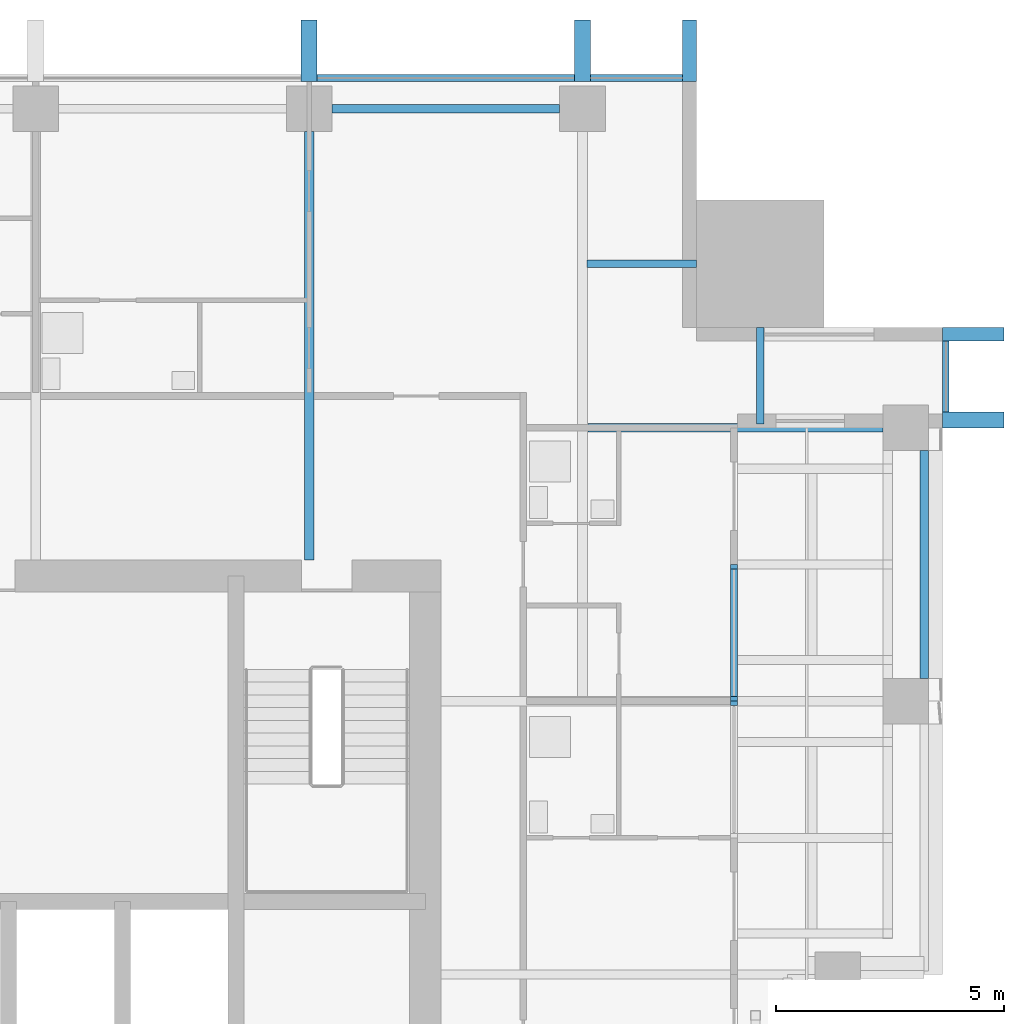
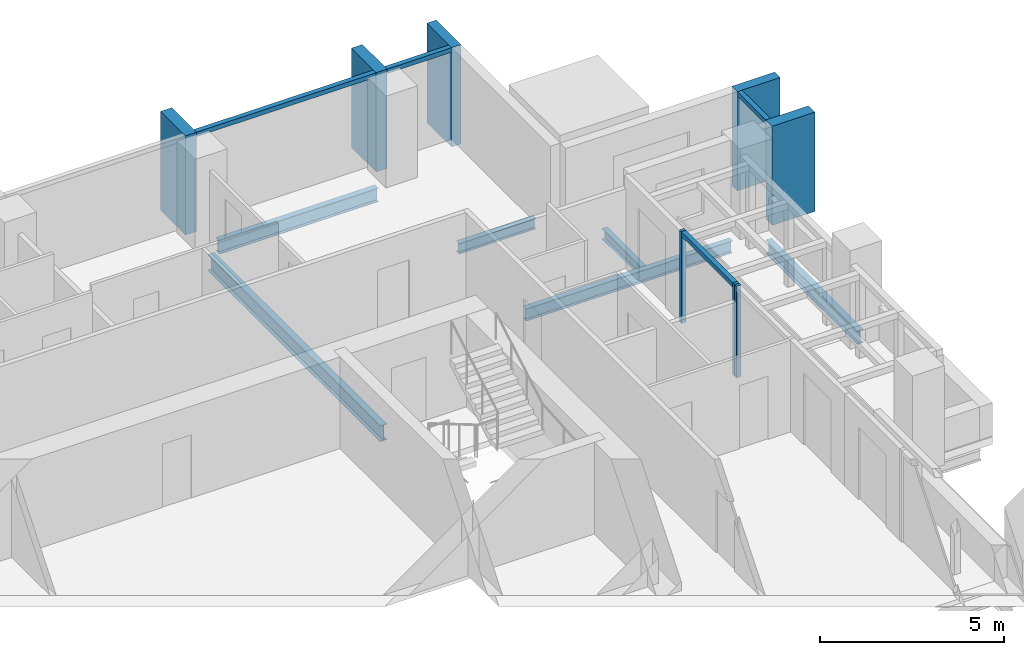
# One storey, part 6 of 16: 12 members, 6 beams, 4 elements without a shape of their own.
"""IFC4 building model written with IfcOpenShell, lengths in metres."""

import ifcopenshell
import ifcopenshell.guid

model = None  # the IFC model being written
_history = None  # IfcOwnerHistory: only IFC2X3 demands one
_inside = {}  # id of a spatial element -> (the spatial element, [elements in it])
_under = {}  # id of a project, library or spatial element -> (it, [spatial elements below it])
_declared = {}  # id of a project -> (the project, [libraries it declares])
_typed = {}  # id of a type object -> (the type object, [elements of that type])
_made_of = {}  # id of a material, layer set ... -> (it, [elements and type objects made of it])


def new_model(schema):
    """Start an empty IFC model of exactly this schema.

    Asked for "IFC4X3", IfcOpenShell would pick the latest addendum, in which some entities
    have other attributes; the version numbers below select the first issue.
    IFC2X3 requires an IfcOwnerHistory on every rooted entity: one is made here for all.
    """
    global model, _history
    if schema == "IFC4X3":
        model = ifcopenshell.file(schema_version=(4, 3, 0, 0))
    else:
        model = ifcopenshell.file(schema=schema)
    _inside.clear()
    _under.clear()
    _declared.clear()
    _typed.clear()
    _made_of.clear()
    _history = None
    if model.schema == "IFC2X3":
        org = make("IfcOrganization", Name="unknown")
        user = make(
            "IfcPersonAndOrganization",
            ThePerson=make("IfcPerson", FamilyName="unknown"),
            TheOrganization=org,
        )
        app = make(
            "IfcApplication",
            ApplicationDeveloper=org,
            Version="unknown",
            ApplicationFullName="unknown",
            ApplicationIdentifier="unknown",
        )
        _history = make(
            "IfcOwnerHistory",
            OwningUser=user,
            OwningApplication=app,
            ChangeAction="ADDED",
            CreationDate=0,
        )
    return model


def make(cls, **values):
    """One entity of the class cls with the attributes given. An attribute that is None is left unset."""
    return model.create_entity(
        cls, **{name: value for name, value in values.items() if value is not None}
    )


def rooted(cls, **values):
    """An entity with a GlobalId (a new one), such as an element, a storey or a relation."""
    return make(cls, GlobalId=ifcopenshell.guid.new(), OwnerHistory=_history, **values)


def si_unit(unit_type, name, prefix=None):
    """IfcSIUnit, for example si_unit("LENGTHUNIT", "METRE", prefix="MILLI")."""
    return make("IfcSIUnit", UnitType=unit_type, Prefix=prefix, Name=name)


def assignment(units):
    """IfcUnitAssignment: the units of a project."""
    return None if units is None else make("IfcUnitAssignment", Units=units)


def point(xyz):
    """IfcCartesianPoint."""
    return None if xyz is None else make("IfcCartesianPoint", Coordinates=xyz)


def direction(xyz):
    """IfcDirection."""
    return None if xyz is None else make("IfcDirection", DirectionRatios=xyz)


def frame(location, z_axis=None, x_axis=None):
    """IfcAxis2Placement3D, a coordinate frame: its origin and axes. An axis left out is left unset."""
    return make(
        "IfcAxis2Placement3D",
        Location=point(location),
        Axis=direction(z_axis),
        RefDirection=direction(x_axis),
    )


def frame_2d(location, x_axis=None):
    """IfcAxis2Placement2D, a coordinate frame in the plane: its origin and x axis."""
    return make(
        "IfcAxis2Placement2D", Location=point(location), RefDirection=direction(x_axis)
    )


def origin():
    """The frame at (0, 0, 0) with its axes left unset."""
    return frame((0.0, 0.0, 0.0))


def origin_2d():
    """The frame at (0, 0) in the plane with its x axis left unset."""
    return frame_2d((0.0, 0.0))


def place(relative_to, where):
    """IfcLocalPlacement: puts the frame where relative to a parent placement (None: the world)."""
    return make(
        "IfcLocalPlacement", PlacementRelTo=relative_to, RelativePlacement=where
    )


def context(
    kind, dimensions, precision=None, world=None, true_north=None, identifier=None
):
    """IfcGeometricRepresentationContext, for example the 3D "Model" context."""
    return make(
        "IfcGeometricRepresentationContext",
        ContextIdentifier=identifier,
        ContextType=kind,
        CoordinateSpaceDimension=dimensions,
        Precision=precision,
        WorldCoordinateSystem=world,
        TrueNorth=true_north,
    )


def subcontext(parent, identifier, kind, view, scale=None):
    """IfcGeometricRepresentationSubContext, for example "Body" below "Model"."""
    return make(
        "IfcGeometricRepresentationSubContext",
        ContextIdentifier=identifier,
        ContextType=kind,
        ParentContext=parent,
        TargetScale=scale,
        TargetView=view,
    )


def project(units=None, contexts=None):
    """IfcProject with its units and contexts."""
    return rooted(
        "IfcProject",
        Name="project",
        RepresentationContexts=contexts,
        UnitsInContext=assignment(units),
    )


def spatial(cls, under=None, at=None, **own):
    """A site, building, storey or space (cls), placed at a placement, below another one or the project."""
    s = rooted(cls, ObjectPlacement=at, **own)
    if under is not None:
        _under.setdefault(under.id(), (under, []))[1].append(s)
    return s


def profile(cls, at=None, kind="AREA", **sizes):
    """A parametric profile (cls). Its sizes go by their IFC names, for example OverallWidth=200.0."""
    return make(cls, ProfileType=kind, Position=at, **sizes)


def rectangle(**sizes):
    """IfcRectangleProfileDef."""
    return profile("IfcRectangleProfileDef", **sizes)


def i_section(**sizes):
    """IfcIShapeProfileDef."""
    return profile("IfcIShapeProfileDef", **sizes)


def extrude(swept, where, along, depth):
    """IfcExtrudedAreaSolid: the profile swept, set in the frame where, extruded along a direction by depth."""
    return make(
        "IfcExtrudedAreaSolid",
        SweptArea=swept,
        Position=where,
        ExtrudedDirection=direction(along),
        Depth=depth,
    )


def shape(context_of_items, identifier, shape_type, items):
    """IfcShapeRepresentation: the items that make up one representation, for example the "Body"."""
    return make(
        "IfcShapeRepresentation",
        ContextOfItems=context_of_items,
        RepresentationIdentifier=identifier,
        RepresentationType=shape_type,
        Items=items,
    )


def material(Name=None, Category=None):
    """IfcMaterial."""
    return make("IfcMaterial", Name=Name, Category=Category)


def material_profile(
    of_material, cross_section, Name=None, Category=None, Priority=None
):
    """IfcMaterialProfile: a cross section and its material."""
    return make(
        "IfcMaterialProfile",
        Name=Name,
        Material=of_material,
        Profile=cross_section,
        Priority=Priority,
        Category=Category,
    )


def profile_set(profiles, Name=None, composite=None):
    """IfcMaterialProfileSet."""
    return make(
        "IfcMaterialProfileSet",
        Name=Name,
        MaterialProfiles=profiles,
        CompositeProfile=composite,
    )


def made_of(thing, what):
    """Note that an element or type object is made of a material, layer set ...; save() writes the relation."""
    if what is not None:
        _made_of.setdefault(what.id(), (what, []))[1].append(thing)
    return thing


def type_object(cls, material=None, **own):
    """A type object (cls), such as IfcWallType, which elements share."""
    return made_of(rooted(cls, **own), material)


def element(
    cls,
    number,
    at=None,
    inside=None,
    cuts=None,
    type_object=None,
    material=None,
    context=None,
    identifier="Body",
    shape_type=None,
    held_by="IfcProductDefinitionShape",
    body=None,
    shapes=None,
    **own,
):
    """One element of the class cls, such as IfcWall. Its Tag is "e" and its number.

    at: its placement. inside: the storey or other place that contains it. cuts: it is an
    opening in that element (IfcRelVoidsElement). A single representation is given by context,
    identifier, shape_type and body (its items); several are given by shapes. held_by: the class
    of the entity that holds the representations. save() writes the other relations.
    """
    e = rooted(cls, Tag="e%d" % number, ObjectPlacement=at, **own)
    if body is not None:
        shapes = [shape(context, identifier, shape_type, body)]
    if shapes is not None:
        e.Representation = make(held_by, Representations=shapes)
    if inside is not None:
        _inside.setdefault(inside.id(), (inside, []))[1].append(e)
    if cuts is not None:
        rooted(
            "IfcRelVoidsElement", RelatingBuildingElement=cuts, RelatedOpeningElement=e
        )
    if type_object is not None:
        _typed.setdefault(type_object.id(), (type_object, []))[1].append(e)
    return made_of(e, material)


def aggregate(whole, parts):
    """IfcRelAggregates: a whole, such as a stair, and the parts it consists of."""
    return rooted("IfcRelAggregates", RelatingObject=whole, RelatedObjects=parts)


def save(model, path):
    """Write the relations noted so far, then the file.

    IfcRelAggregates (storeys below a building ...), IfcRelContainedInSpatialStructure (elements
    in a storey), IfcRelDefinesByType, IfcRelAssociatesMaterial and IfcRelDeclares: one each for
    every whole, place, type object, material and project.
    """
    for whole, parts in _under.values():
        aggregate(whole, parts)
    for where, things in _inside.values():
        rooted(
            "IfcRelContainedInSpatialStructure",
            RelatedElements=things,
            RelatingStructure=where,
        )
    for kind, things in _typed.values():
        rooted("IfcRelDefinesByType", RelatedObjects=things, RelatingType=kind)
    for what, things in _made_of.values():
        rooted("IfcRelAssociatesMaterial", RelatedObjects=things, RelatingMaterial=what)
    for by, libraries in _declared.values():
        rooted("IfcRelDeclares", RelatingContext=by, RelatedDefinitions=libraries)
    model.write(path)


model = new_model("IFC4")

# Units and contexts
model_context = context("Model", 3, precision=1e-05, world=origin(), true_north=direction((0.0, 1.0)))
body_context = subcontext(model_context, "Body", "Model", "MODEL_VIEW")
ifc_project = project(units=[si_unit("LENGTHUNIT", "METRE"), si_unit("AREAUNIT", "SQUARE_METRE"), si_unit("VOLUMEUNIT", "CUBIC_METRE"), si_unit("PLANEANGLEUNIT", "RADIAN"), si_unit("MASSUNIT", "GRAM", prefix="KILO")], contexts=[model_context])

# Site, building, storey
site_placement = place(None, origin())
site = spatial("IfcSite", under=ifc_project, at=site_placement, CompositionType="ELEMENT")
building_placement = place(site_placement, origin())
building = spatial("IfcBuilding", under=site, at=building_placement, Name="Amberfall Residences", CompositionType="ELEMENT")
storey_placement = place(building_placement, frame((0.0, 0.0, 164.800048828125)))
storey = spatial("IfcBuildingStorey", under=building, at=storey_placement, Name="L44", CompositionType="ELEMENT", Elevation=164.800048828125)

# Curtain wall, member
ifc_material_1 = material(Name="Bronze anodised aluminium and glass", Category="aluminium")
curtain_wall_type_1 = type_object("IfcCurtainWallType", Name="Curtain wall CW1 tower unit", PredefinedType="USERDEFINED", material=ifc_material_1)
curtain_wall_1_placement = place(storey_placement, origin())
curtain_wall_1 = element("IfcCurtainWall", 1, at=curtain_wall_1_placement, inside=storey, type_object=curtain_wall_type_1, Name="Curtain wall L44 E E9", ObjectType="UNITISED CURTAIN WALL", PredefinedType="USERDEFINED")
ifc_material_2 = material(Name="Bronze anodised aluminium", Category="aluminium")
ifc_material_profile_1 = material_profile(ifc_material_2, rectangle(XDim=0.14990234375, YDim=0.14990234375, at=origin_2d()), Name="CW1 transom 150 x 150 bronze")
ifc_profile_set_1 = profile_set([ifc_material_profile_1], Name="Bronze anodised aluminium")
member_type_1 = type_object("IfcMemberType", Name="CW1 transom 150 x 150 bronze", PredefinedType="USERDEFINED", material=ifc_profile_set_1)
member_1_placement = place(storey_placement, frame((97.574951171875, 60.75, 2.974853515625), z_axis=(0.0, 1.0, 0.0), x_axis=(-1.0, 0.0, 0.0)))
member_1 = element("IfcMember", 2, at=member_1_placement, type_object=member_type_1, Name="CW1 transom 1.1", ObjectType="TRANSOM", PredefinedType="USERDEFINED", context=body_context, shape_type="SweptSolid", body=[
    extrude(rectangle(XDim=0.14990234375, YDim=0.14990234375, at=origin_2d()), origin(), (0.0, 0.0, 1.0), 1.550048828125),
])

# Curtain wall, members
curtain_wall_2_placement = place(storey_placement, origin())
curtain_wall_2 = element("IfcCurtainWall", 3, at=curtain_wall_2_placement, inside=storey, type_object=curtain_wall_type_1, Name="Curtain wall L44 N N1", ObjectType="UNITISED CURTAIN WALL", PredefinedType="USERDEFINED")
member_2_placement = place(storey_placement, frame((91.800048828125, 68.074951171875, 2.974853515625), z_axis=(-1.0, 0.0, 0.0), x_axis=(0.0, -1.0, 0.0)))
member_2 = element("IfcMember", 4, at=member_2_placement, type_object=member_type_1, Name="CW1 transom 1.1", ObjectType="TRANSOM", PredefinedType="USERDEFINED", context=body_context, shape_type="SweptSolid", body=[
    extrude(rectangle(XDim=0.14990234375, YDim=0.14990234375, at=origin_2d()), origin(), (0.0, 0.0, 1.0), 2.025146484375),
])
member_3_placement = place(storey_placement, frame((89.425048828125, 68.074951171875, 2.974853515625), z_axis=(-1.0, 0.0, 0.0), x_axis=(0.0, -1.0, 0.0)))
member_3 = element("IfcMember", 5, at=member_3_placement, type_object=member_type_1, Name="CW1 transom 2.1", ObjectType="TRANSOM", PredefinedType="USERDEFINED", context=body_context, shape_type="SweptSolid", body=[
    extrude(rectangle(XDim=0.14990234375, YDim=0.14990234375, at=origin_2d()), origin(), (0.0, 0.0, 1.0), 5.650146484375),
])

# Curtain wall, member
curtain_wall_type_2 = type_object("IfcCurtainWallType", Name="Curtain wall CW3 sky garden glazing", PredefinedType="USERDEFINED", material=ifc_material_1)
curtain_wall_3_placement = place(storey_placement, origin())
curtain_wall_3 = element("IfcCurtainWall", 6, at=curtain_wall_3_placement, inside=storey, type_object=curtain_wall_type_2, Name="Curtain wall L44 E E6", ObjectType="UNITISED CURTAIN WALL", PredefinedType="USERDEFINED")
ifc_material_profile_2 = material_profile(ifc_material_2, rectangle(XDim=0.14990234375, YDim=0.10009765625, at=origin_2d()), Name="CW3 mullion 100 x 150 bronze")
ifc_profile_set_2 = profile_set([ifc_material_profile_2], Name="Bronze anodised aluminium")
member_type_2 = type_object("IfcMemberType", Name="CW3 mullion 100 x 150 bronze", PredefinedType="MULLION", material=ifc_profile_set_2)
member_4_placement = place(storey_placement, frame((92.925048828125, 54.35009765625, 0.0), z_axis=(0.0, 0.0, 1.0), x_axis=(-1.0, 0.0, 0.0)))
member_4 = element("IfcMember", 7, at=member_4_placement, type_object=member_type_2, Name="CW3 mullion 2", PredefinedType="MULLION", context=body_context, shape_type="SweptSolid", body=[
    extrude(rectangle(XDim=0.14990234375, YDim=0.10009765625, at=origin_2d()), origin(), (0.0, 0.0, 1.0), 3.050048828125),
])
aggregate(curtain_wall_3, [member_4])

# Curtain wall, members
curtain_wall_4_placement = place(storey_placement, origin())
curtain_wall_4 = element("IfcCurtainWall", 8, at=curtain_wall_4_placement, inside=storey, type_object=curtain_wall_type_2, Name="Curtain wall L44 E E7", ObjectType="UNITISED CURTAIN WALL", PredefinedType="USERDEFINED")
member_5_placement = place(storey_placement, frame((92.925048828125, 54.449951171875, 0.0), z_axis=(0.0, 0.0, 1.0), x_axis=(-1.0, 0.0, 0.0)))
member_5 = element("IfcMember", 9, at=member_5_placement, type_object=member_type_2, Name="CW3 mullion 1", PredefinedType="MULLION", context=body_context, shape_type="SweptSolid", body=[
    extrude(rectangle(XDim=0.14990234375, YDim=0.10009765625, at=origin_2d()), origin(), (0.0, 0.0, 1.0), 3.050048828125),
])
member_6_placement = place(storey_placement, frame((92.925048828125, 57.35009765625, 0.0), z_axis=(0.0, 0.0, 1.0), x_axis=(-1.0, 0.0, 0.0)))
member_6 = element("IfcMember", 10, at=member_6_placement, type_object=member_type_2, Name="CW3 mullion 2", PredefinedType="MULLION", context=body_context, shape_type="SweptSolid", body=[
    extrude(rectangle(XDim=0.14990234375, YDim=0.10009765625, at=origin_2d()), origin(), (0.0, 0.0, 1.0), 3.050048828125),
])
ifc_material_profile_3 = material_profile(ifc_material_2, rectangle(XDim=0.14990234375, YDim=0.14990234375, at=origin_2d()), Name="CW3 transom 150 x 150 bronze")
ifc_profile_set_3 = profile_set([ifc_material_profile_3], Name="Bronze anodised aluminium")
member_type_3 = type_object("IfcMemberType", Name="CW3 transom 150 x 150 bronze", PredefinedType="USERDEFINED", material=ifc_profile_set_3)
member_7_placement = place(storey_placement, frame((92.925048828125, 54.5, 2.974853515625), z_axis=(0.0, 1.0, 0.0), x_axis=(-1.0, 0.0, 0.0)))
member_7 = element("IfcMember", 11, at=member_7_placement, type_object=member_type_3, Name="CW3 transom 1.1", ObjectType="TRANSOM", PredefinedType="USERDEFINED", context=body_context, shape_type="SweptSolid", body=[
    extrude(rectangle(XDim=0.14990234375, YDim=0.14990234375, at=origin_2d()), origin(), (0.0, 0.0, 1.0), 2.800048828125),
])
aggregate(curtain_wall_4, [member_5, member_6, member_7])

# Member
ifc_material_profile_4 = material_profile(ifc_material_2, rectangle(XDim=1.35009765625, YDim=0.300048828125, at=origin_2d()), Name="Corner fin 300 x 1350 bronze")
ifc_profile_set_4 = profile_set([ifc_material_profile_4], Name="Bronze anodised aluminium")
member_type_4 = type_object("IfcMemberType", Name="Corner fin 300 x 1350 bronze", PredefinedType="MULLION", material=ifc_profile_set_4)
member_8_placement = place(storey_placement, frame((98.175048828125, 62.449951171875, -0.25), z_axis=(0.0, 0.0, 1.0), x_axis=(-1.0, 0.0, 0.0)))
member_8 = element("IfcMember", 12, at=member_8_placement, type_object=member_type_4, Name="CW FIN 2", PredefinedType="MULLION", context=body_context, shape_type="SweptSolid", body=[
    extrude(rectangle(XDim=1.35009765625, YDim=0.300048828125, at=origin_2d()), origin(), (0.0, 0.0, 1.0), 3.300048828125),
])

member_9_placement = place(storey_placement, frame((91.949951171875, 68.675048828125, -0.25), z_axis=(0.0, 0.0, 1.0), x_axis=(0.0, -1.0, 0.0)))
member_9 = element("IfcMember", 13, at=member_9_placement, type_object=member_type_4, Name="CW FIN 1", PredefinedType="MULLION", context=body_context, shape_type="SweptSolid", body=[
    extrude(rectangle(XDim=1.35009765625, YDim=0.300048828125, at=origin_2d()), origin(), (0.0, 0.0, 1.0), 3.300048828125),
])

# Beams
ifc_material_3 = material(Name="Steel S355", Category="steel")
ifc_material_profile_5 = material_profile(ifc_material_3, i_section(OverallWidth=0.18994140625, OverallDepth=0.453369140625, WebThickness=0.008544921875, FlangeThickness=0.0126953125, FilletRadius=0.01025390625, at=origin_2d()), Name="UB 457x191x67")
ifc_profile_set_5 = profile_set([ifc_material_profile_5], Name="Steel S355")
beam_type_1 = type_object("IfcBeamType", Name="Edge beam UB 457x191x67", PredefinedType="SPANDREL", material=ifc_profile_set_5)
for number, where, z_axis, x_axis, name in (
    (14, (97.10009765625, 54.89990234375, -0.476806640625), (0.0, 1.0, 0.0), (-1.0, 0.0, 0.0), "Edge beam B1 L44 17"),
    (15, (84.10009765625, 67.39990234375, -0.476806640625), (1.0, 0.0, 0.0), (0.0, 1.0, 0.0), "Edge beam B1 L44 30"),
):
    element("IfcBeam", number, at=place(storey_placement, frame(where, z_axis=z_axis, x_axis=x_axis)), inside=storey, type_object=beam_type_1, Name=name, PredefinedType="SPANDREL", context=body_context, shape_type="SweptSolid", body=[
        extrude(i_section(OverallWidth=0.18994140625, OverallDepth=0.453369140625, WebThickness=0.008544921875, FlangeThickness=0.0126953125, FilletRadius=0.01025390625, at=origin_2d()), origin(), (0.0, 0.0, 1.0), 5.0),
    ])

# Member
ifc_material_profile_6 = material_profile(ifc_material_2, rectangle(XDim=1.35009765625, YDim=0.35009765625, at=origin_2d()), Name="Fin 350 x 1350 bronze")
ifc_profile_set_6 = profile_set([ifc_material_profile_6], Name="Bronze anodised aluminium")
member_type_5 = type_object("IfcMemberType", Name="Fin 350 x 1350 bronze", PredefinedType="MULLION", material=ifc_profile_set_6)
member_10_placement = place(storey_placement, frame((98.175048828125, 60.574951171875, -0.25), z_axis=(0.0, 0.0, 1.0), x_axis=(-1.0, 0.0, 0.0)))
member_10 = element("IfcMember", 16, at=member_10_placement, type_object=member_type_5, Name="CW FIN 1", PredefinedType="MULLION", context=body_context, shape_type="SweptSolid", body=[
    extrude(rectangle(XDim=1.35009765625, YDim=0.35009765625, at=origin_2d()), origin(), (0.0, 0.0, 1.0), 3.300048828125),
])

aggregate(curtain_wall_1, [member_10, member_8, member_1])

member_11_placement = place(storey_placement, frame((89.60009765625, 68.675048828125, -0.25), z_axis=(0.0, 0.0, 1.0), x_axis=(0.0, -1.0, 0.0)))
member_11 = element("IfcMember", 17, at=member_11_placement, type_object=member_type_5, Name="CW FIN 2", PredefinedType="MULLION", context=body_context, shape_type="SweptSolid", body=[
    extrude(rectangle(XDim=1.35009765625, YDim=0.35009765625, at=origin_2d()), origin(), (0.0, 0.0, 1.0), 3.300048828125),
])

member_12_placement = place(storey_placement, frame((83.60009765625, 68.675048828125, -0.25), z_axis=(0.0, 0.0, 1.0), x_axis=(0.0, -1.0, 0.0)))
member_12 = element("IfcMember", 18, at=member_12_placement, type_object=member_type_5, Name="CW FIN 3", PredefinedType="MULLION", context=body_context, shape_type="SweptSolid", body=[
    extrude(rectangle(XDim=1.35009765625, YDim=0.35009765625, at=origin_2d()), origin(), (0.0, 0.0, 1.0), 3.300048828125),
])

aggregate(curtain_wall_2, [member_9, member_11, member_12, member_2, member_3])

# Beams
ifc_material_profile_7 = material_profile(ifc_material_3, i_section(OverallWidth=0.177734375, OverallDepth=0.402587890625, WebThickness=0.0078125, FlangeThickness=0.010986328125, FilletRadius=0.01025390625, at=origin_2d()), Name="UB 406x178x54")
ifc_profile_set_7 = profile_set([ifc_material_profile_7], Name="Steel S355")
beam_type_2 = type_object("IfcBeamType", Name="Floor girder UB 406x178x54", PredefinedType="BEAM", material=ifc_profile_set_7)
beam_1_placement = place(storey_placement, frame((96.199951171875, 60.39990234375, -0.451416015625), z_axis=(-1.0, 0.0, 0.0), x_axis=(0.0, -1.0, 0.0)))
element("IfcBeam", 19, at=beam_1_placement, inside=storey, type_object=beam_type_2, Name="Floor girder B4 L44 25", PredefinedType="BEAM", context=body_context, shape_type="SweptSolid", body=[
    extrude(i_section(OverallWidth=0.177734375, OverallDepth=0.402587890625, WebThickness=0.0078125, FlangeThickness=0.010986328125, FilletRadius=0.01025390625, at=origin_2d()), origin(), (0.0, 0.0, 1.0), 6.47998046875),
])
ifc_material_profile_8 = material_profile(ifc_material_3, i_section(OverallWidth=0.209228515625, OverallDepth=0.533203125, WebThickness=0.010009765625, FlangeThickness=0.015625, FilletRadius=0.0126953125, at=origin_2d()), Name="UB 533x210x92")
ifc_profile_set_8 = profile_set([ifc_material_profile_8], Name="Steel S355")
beam_type_3 = type_object("IfcBeamType", Name="Floor girder UB 533x210x92", PredefinedType="BEAM", material=ifc_profile_set_8)
beam_2_placement = place(storey_placement, frame((83.60009765625, 66.89990234375, -0.5166015625), z_axis=(0.0, -1.0, 0.0), x_axis=(1.0, 0.0, 0.0)))
element("IfcBeam", 20, at=beam_2_placement, inside=storey, type_object=beam_type_3, Name="Floor girder B3 L44 35", PredefinedType="BEAM", context=body_context, shape_type="SweptSolid", body=[
    extrude(i_section(OverallWidth=0.209228515625, OverallDepth=0.533203125, WebThickness=0.010009765625, FlangeThickness=0.015625, FilletRadius=0.0126953125, at=origin_2d()), origin(), (0.0, 0.0, 1.0), 9.39990234375),
])
ifc_material_profile_9 = material_profile(ifc_material_3, i_section(OverallWidth=0.171142578125, OverallDepth=0.351318359375, WebThickness=0.007080078125, FlangeThickness=0.009765625, FilletRadius=0.01025390625, at=origin_2d()), Name="UB 356x171x45")
ifc_profile_set_9 = profile_set([ifc_material_profile_9], Name="Steel S355")
beam_type_4 = type_object("IfcBeamType", Name="Link beam UB 356x171x45", PredefinedType="BEAM", material=ifc_profile_set_9)
beam_3_placement = place(storey_placement, frame((92.10009765625, 64.0, -0.42578125), z_axis=(-1.0, 0.0, 0.0), x_axis=(0.0, -1.0, 0.0)))
element("IfcBeam", 21, at=beam_3_placement, inside=storey, type_object=beam_type_4, Name="Link beam B7 L44 52", PredefinedType="BEAM", context=body_context, shape_type="SweptSolid", body=[
    extrude(i_section(OverallWidth=0.171142578125, OverallDepth=0.351318359375, WebThickness=0.007080078125, FlangeThickness=0.009765625, FilletRadius=0.01025390625, at=origin_2d()), origin(), (0.0, 0.0, 1.0), 2.40478515625),
])
beam_4_placement = place(storey_placement, frame((93.5, 62.60009765625, -0.42578125), z_axis=(0.0, -1.0, 0.0), x_axis=(1.0, 0.0, 0.0)))
element("IfcBeam", 22, at=beam_4_placement, inside=storey, type_object=beam_type_4, Name="Link beam B7 L44 53", PredefinedType="BEAM", context=body_context, shape_type="SweptSolid", body=[
    extrude(i_section(OverallWidth=0.171142578125, OverallDepth=0.351318359375, WebThickness=0.007080078125, FlangeThickness=0.009765625, FilletRadius=0.01025390625, at=origin_2d()), origin(), (0.0, 0.0, 1.0), 2.12109375),
])

save(model, "model.ifc")
